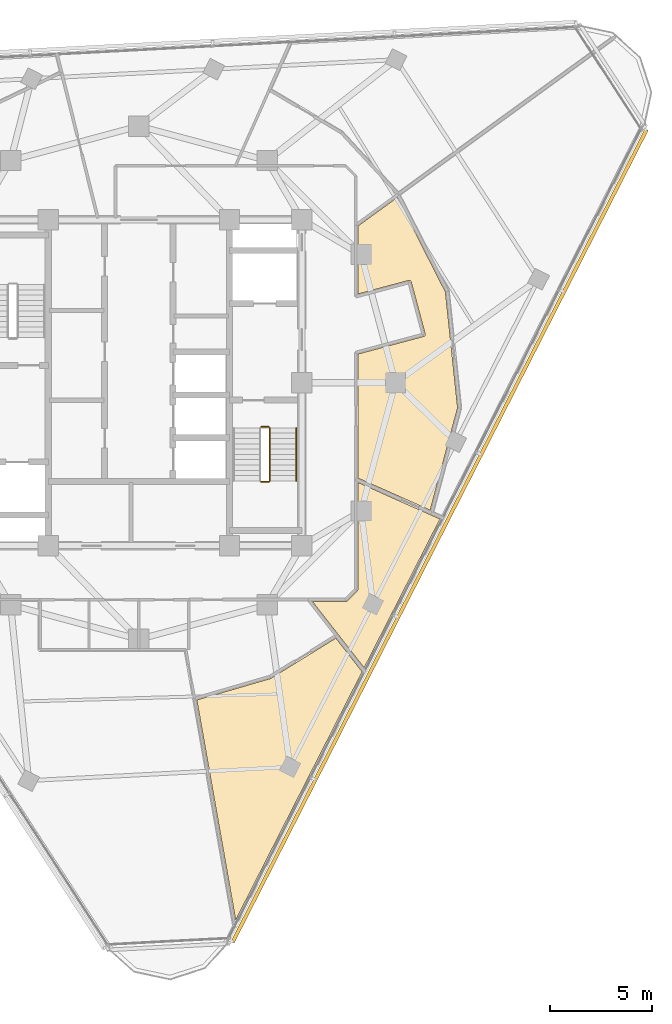
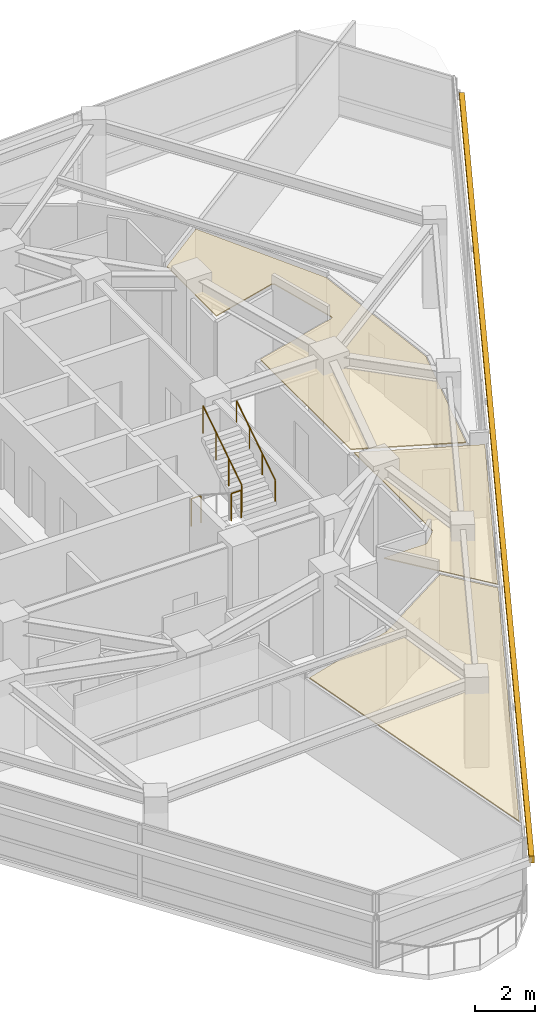
# One storey, part 13 of 15: 4 railings, 3 coverings, 1 shading device.
"""IFC4 building model written with IfcOpenShell, lengths in metres."""

from ifc_helpers import new_model, si_unit, direction, frame, origin, origin_2d, place, context, subcontext, project, spatial, polyline, rectangle, circle, outline, extrude, material, layer, layer_set, type_object, element, save


model = new_model("IFC4")

# Units and contexts
model_context = context("Model", 3, precision=1e-05, world=origin(), true_north=direction((0.0, 1.0)))
body_context = subcontext(model_context, "Body", "Model", "MODEL_VIEW")
ifc_project = project(units=[si_unit("LENGTHUNIT", "METRE"), si_unit("AREAUNIT", "SQUARE_METRE"), si_unit("VOLUMEUNIT", "CUBIC_METRE"), si_unit("PLANEANGLEUNIT", "RADIAN"), si_unit("MASSUNIT", "GRAM", prefix="KILO")], contexts=[model_context])

# Site, building, storey
site_placement = place(None, origin())
site = spatial("IfcSite", under=ifc_project, at=site_placement, CompositionType="ELEMENT")
building_placement = place(site_placement, origin())
building = spatial("IfcBuilding", under=site, at=building_placement, Name="Terralouvre Media Tower", CompositionType="ELEMENT")
storey_placement = place(building_placement, frame((0.0, 0.0, 255.89990234375)))
storey = spatial("IfcBuildingStorey", under=building, at=storey_placement, Name="L66", CompositionType="ELEMENT", Elevation=255.89990234375)

# Coverings
ifc_material_1 = material(Name="Perforated aluminium acoustic ceiling baffle", Category="aluminium")
ifc_layer_1 = layer(ifc_material_1, 0.0400390625, Name="Perforated Acoustic Metal Tile Ceiling CL-AC1")
ifc_layer_set_1 = layer_set([ifc_layer_1], Name="Perforated aluminium acoustic ceiling baffle")
covering_type = type_object("IfcCoveringType", Name="Perforated Acoustic Metal Tile Ceiling CL-AC1", PredefinedType="CEILING", material=ifc_layer_set_1)
covering_1_placement = place(storey_placement, frame((0.0, 0.0, 2.97998046875), z_axis=(0.0, 0.0, 1.0), x_axis=(0.45399049974, 0.891006524188, 0.0)))
element("IfcCovering", 1, at=covering_1_placement, inside=storey, type_object=covering_type, Name="L66 Classical and Jazz Listening Library 2 Acoustic Ceiling", PredefinedType="CEILING", context=body_context, shape_type="SweptSolid", body=[
    extrude(outline(polyline([(6.007080078125, -14.503173828125), (10.805419921875, -11.386962890625), (13.86474609375, -7.1767578125), (11.7294921875, -6.08837890625), (8.760986328125, -7.60107421875), (10.49365234375, -9.525146484375), (10.5, -9.532958984375), (10.50537109375, -9.541015625), (10.510009765625, -9.5498046875), (10.513671875, -9.558837890625), (10.5166015625, -9.568115234375), (10.518310546875, -9.577880859375), (10.519287109375, -9.587646484375), (10.519287109375, -9.597412109375), (10.518310546875, -9.607177734375), (10.516357421875, -9.61669921875), (10.513427734375, -9.626220703125), (10.509765625, -9.63525390625), (10.5048828125, -9.643798828125), (10.49951171875, -9.652099609375), (10.4931640625, -9.65966796875), (10.486328125, -9.66650390625), (8.516357421875, -11.439208984375), (8.5087890625, -11.4453125), (8.50048828125, -11.45068359375), (8.491943359375, -11.455322265625), (8.482666015625, -11.458984375), (8.473388671875, -11.4619140625), (8.463623046875, -11.463623046875), (8.453857421875, -11.464599609375), (8.444091796875, -11.464599609375), (8.434326171875, -11.463623046875), (8.4248046875, -11.461669921875), (8.415283203125, -11.458740234375), (8.406494140625, -11.455078125), (8.397705078125, -11.450439453125), (8.3896484375, -11.44482421875), (8.382080078125, -11.4384765625), (8.375, -11.431640625), (6.132568359375, -8.9404296875), (0.713134765625, -11.70166015625), (0.91650390625, -15.585205078125), (6.007080078125, -14.503173828125)])), origin(), (0.0, 0.0, 1.0), 0.0400390625),
])
covering_2_placement = place(storey_placement, frame((0.0, 0.0, 2.97998046875), z_axis=(0.0, 0.0, 1.0), x_axis=(0.45399049974, 0.891006524188, 0.0)))
element("IfcCovering", 2, at=covering_2_placement, inside=storey, type_object=covering_type, Name="L66 Cultural Quarterly Editorial Office 4 Acoustic Ceiling", PredefinedType="CEILING", context=body_context, shape_type="SweptSolid", body=[
    extrude(outline(polyline([(-9.995361328125, -12.364013671875), (-10.0029296875, -12.35888671875), (-10.009765625, -12.353271484375), (-10.016357421875, -12.346923828125), (-12.58935546875, -9.612060546875), (-21.3486328125, -16.212890625), (-7.670166015625, -16.212158203125), (-6.784912109375, -14.312744140625), (-9.995361328125, -12.364013671875)])), origin(), (0.0, 0.0, 1.0), 0.0400390625),
])
covering_3_placement = place(storey_placement, frame((0.0, 0.0, 2.97998046875), z_axis=(0.0, 0.0, 1.0), x_axis=(0.45399049974, 0.891006524188, 0.0)))
element("IfcCovering", 3, at=covering_3_placement, inside=storey, type_object=covering_type, Name="L66 Literary Salon Lounge 6 Acoustic Ceiling", PredefinedType="CEILING", context=body_context, shape_type="SweptSolid", body=[
    extrude(outline(polyline([(0.722900390625, -15.712646484375), (0.51806640625, -11.801025390625), (-4.163330078125, -14.186279296875), (-4.17236328125, -14.1904296875), (-4.181640625, -14.193603515625), (-4.191162109375, -14.195556640625), (-4.200927734375, -14.197021484375), (-4.210693359375, -14.197265625), (-4.220458984375, -14.196533203125), (-4.230224609375, -14.19482421875), (-4.239501953125, -14.1923828125), (-4.912109375, -13.973876953125), (-4.92138671875, -13.97021484375), (-4.929931640625, -13.966064453125), (-4.9384765625, -13.960693359375), (-4.946044921875, -13.954833984375), (-4.953369140625, -13.947998046875), (-4.959716796875, -13.940673828125), (-4.96533203125, -13.9326171875), (-4.97021484375, -13.924072265625), (-5.70751953125, -12.47705078125), (-6.565673828125, -14.31591796875), (-7.449462890625, -16.212158203125), (0.74951171875, -16.212890625), (0.722900390625, -15.712890625), (0.722900390625, -15.712646484375)])), origin(), (0.0, 0.0, 1.0), 0.0400390625),
])

# Railings
ifc_material_2 = material(Name="Stainless steel 316 handrail and balustrade", Category="steel")
ifc_layer_2 = layer(ifc_material_2, 0.050048828125, Name="Stair Flight Wall Handrail HR-INT1")
ifc_layer_set_2 = layer_set([ifc_layer_2], Name="Stainless steel 316 handrail and balustrade")
railing_type_1 = type_object("IfcRailingType", Name="Stair Flight Wall Handrail HR-INT1", PredefinedType="HANDRAIL", material=ifc_layer_set_2)
railing_1_placement = place(storey_placement, frame((7.72998046875, -4.820068359375, 2.018310546875)))
element("IfcRailing", 4, at=railing_1_placement, inside=storey, type_object=railing_type_1, Name="L66 ST-02 stair handrail 2", PredefinedType="HANDRAIL", context=body_context, shape_type="SweptSolid", body=[
    extrude(circle(Radius=0.02392578125, at=origin_2d()), frame((0.0, 0.0, 0.8759765625), z_axis=(0.0, 0.839648411786, 0.543130320075), x_axis=(-1.0, 0.0, 0.0)), (0.0, 0.0, 1.0), 3.0966796875),
    extrude(circle(Radius=0.02099609375, at=origin_2d()), origin(), (0.0, 0.0, 1.0), 0.851806640625),
    extrude(circle(Radius=0.02099609375, at=origin_2d()), frame((0.0, 0.86669921875, 0.560546875)), (0.0, 0.0, 1.0), 0.851806640625),
    extrude(circle(Radius=0.02099609375, at=origin_2d()), frame((0.0, 1.7333984375, 1.121337890625)), (0.0, 0.0, 1.0), 0.851806640625),
    extrude(circle(Radius=0.02099609375, at=origin_2d()), frame((0.0, 2.60009765625, 1.681884765625)), (0.0, 0.0, 1.0), 0.851806640625),
])
ifc_material_3 = material(Name="Stainless steel 316 handrail and balustrade", Category="steel")
ifc_layer_3 = layer(ifc_material_3, 0.050048828125, Name="Stairwell Safety Guardrail GR-INT1")
ifc_layer_set_3 = layer_set([ifc_layer_3], Name="Stainless steel 316 handrail and balustrade")
railing_type_2 = type_object("IfcRailingType", Name="Stairwell Safety Guardrail GR-INT1", PredefinedType="GUARDRAIL", material=ifc_layer_set_3)
railing_2_placement = place(storey_placement, frame((6.0, -4.8701171875, 1.85009765625)))
element("IfcRailing", 5, at=railing_2_placement, inside=storey, type_object=railing_type_2, Name="L66 ST-02 stair guard 2", PredefinedType="GUARDRAIL", context=body_context, shape_type="SweptSolid", body=[
    extrude(circle(Radius=0.02392578125, at=origin_2d()), frame((0.0, 0.0, 1.1259765625), z_axis=(1.0, 0.0, 0.0), x_axis=(0.0, 1.0, 0.0)), (0.0, 0.0, 1.0), 0.3798828125),
    extrude(circle(Radius=0.02099609375, at=origin_2d()), origin(), (0.0, 0.0, 1.0), 1.101806640625),
    extrude(circle(Radius=0.02099609375, at=origin_2d()), frame((0.3798828125, 0.0, 0.0)), (0.0, 0.0, 1.0), 1.101806640625),
])
railing_3_placement = place(storey_placement, frame((6.429931640625, -4.820068359375, 2.018310546875)))
element("IfcRailing", 6, at=railing_3_placement, inside=storey, type_object=railing_type_2, Name="L66 ST-02 stair guard 3", PredefinedType="GUARDRAIL", context=body_context, shape_type="SweptSolid", body=[
    extrude(circle(Radius=0.02392578125, at=origin_2d()), frame((0.0, 0.0, 1.1259765625), z_axis=(0.0, 0.839648411786, 0.543130320075), x_axis=(-1.0, 0.0, 0.0)), (0.0, 0.0, 1.0), 3.0966796875),
    extrude(circle(Radius=0.02099609375, at=origin_2d()), origin(), (0.0, 0.0, 1.0), 1.101806640625),
    extrude(circle(Radius=0.02099609375, at=origin_2d()), frame((0.0, 0.86669921875, 0.560546875)), (0.0, 0.0, 1.0), 1.101806640625),
    extrude(circle(Radius=0.02099609375, at=origin_2d()), frame((0.0, 1.7333984375, 1.121337890625)), (0.0, 0.0, 1.0), 1.101806640625),
    extrude(circle(Radius=0.02099609375, at=origin_2d()), frame((0.0, 2.60009765625, 1.681884765625)), (0.0, 0.0, 1.0), 1.101806640625),
])
railing_4_placement = place(storey_placement, frame((6.0, -2.169921875, 0.0)))
element("IfcRailing", 7, at=railing_4_placement, inside=storey, type_object=railing_type_2, Name="L66 ST-02 stair guard 4", PredefinedType="GUARDRAIL", context=body_context, shape_type="SweptSolid", body=[
    extrude(circle(Radius=0.02392578125, at=origin_2d()), frame((0.0, 0.0, 1.1259765625), z_axis=(1.0, 0.0, 0.0), x_axis=(0.0, 1.0, 0.0)), (0.0, 0.0, 1.0), 0.3798828125),
    extrude(circle(Radius=0.02099609375, at=origin_2d()), origin(), (0.0, 0.0, 1.0), 1.101806640625),
    extrude(circle(Radius=0.02099609375, at=origin_2d()), frame((0.3798828125, 0.0, 0.0)), (0.0, 0.0, 1.0), 1.101806640625),
])

# Shading device
ifc_material_4 = material(Name="Extruded terracotta baguette sunshade louvres", Category="masonry")
shading_device_type = type_object("IfcShadingDeviceType", Name="Terracotta Baguette Sunshade Louvre Screen TB-LV1", PredefinedType="USERDEFINED", material=ifc_material_4)
shading_device_placement = place(storey_placement, frame((14.766357421875, -7.52392578125, 2.02392578125), z_axis=(0.0, 0.0, 1.0), x_axis=(0.45399044259, 0.891006553308, 0.0)))
element("IfcShadingDevice", 8, at=shading_device_placement, inside=storey, type_object=shading_device_type, Name="CW-L66-F0 Terracotta Baguette Sunshade Louvre", ObjectType="BAGUETTE", PredefinedType="USERDEFINED", context=body_context, shape_type="SweptSolid", body=[
    extrude(rectangle(XDim=44.800048828125, YDim=0.179931640625, at=origin_2d()), origin(), (0.0, 0.0, 1.0), 0.280029296875),
])

save(model, "model.ifc")
